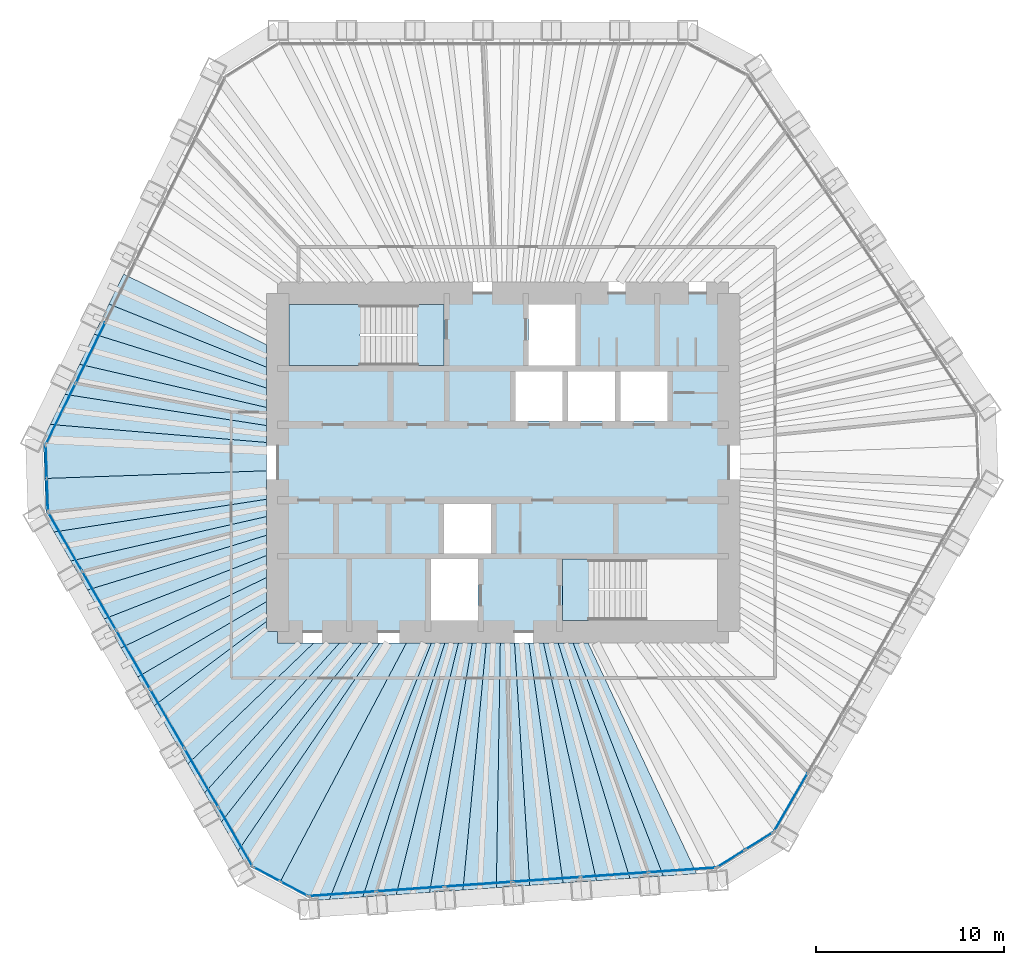
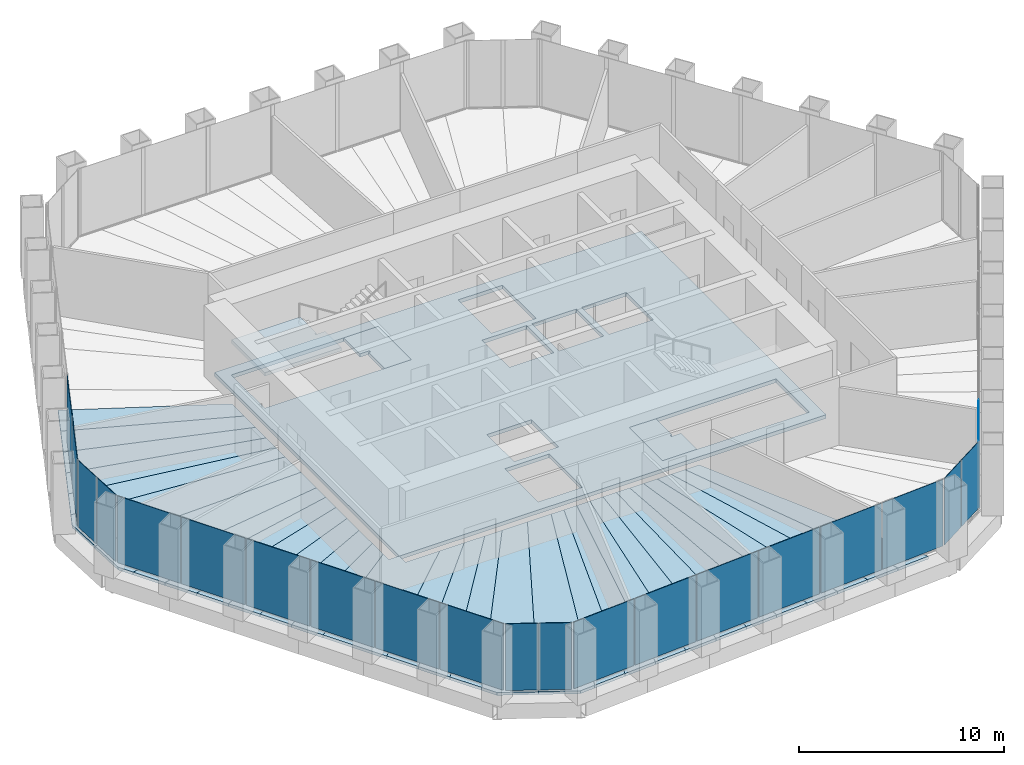
# One storey, part 8 of 13: 34 slabs, 21 plates, 9 elements without a shape of their own.
"""IFC4 building model written with IfcOpenShell, lengths in metres."""

import ifcopenshell
import ifcopenshell.guid

model = None  # the IFC model being written
_history = None  # IfcOwnerHistory: only IFC2X3 demands one
_inside = {}  # id of a spatial element -> (the spatial element, [elements in it])
_under = {}  # id of a project, library or spatial element -> (it, [spatial elements below it])
_declared = {}  # id of a project -> (the project, [libraries it declares])
_typed = {}  # id of a type object -> (the type object, [elements of that type])
_made_of = {}  # id of a material, layer set ... -> (it, [elements and type objects made of it])


def new_model(schema):
    """Start an empty IFC model of exactly this schema.

    Asked for "IFC4X3", IfcOpenShell would pick the latest addendum, in which some entities
    have other attributes; the version numbers below select the first issue.
    IFC2X3 requires an IfcOwnerHistory on every rooted entity: one is made here for all.
    """
    global model, _history
    if schema == "IFC4X3":
        model = ifcopenshell.file(schema_version=(4, 3, 0, 0))
    else:
        model = ifcopenshell.file(schema=schema)
    _inside.clear()
    _under.clear()
    _declared.clear()
    _typed.clear()
    _made_of.clear()
    _history = None
    if model.schema == "IFC2X3":
        org = make("IfcOrganization", Name="unknown")
        user = make(
            "IfcPersonAndOrganization",
            ThePerson=make("IfcPerson", FamilyName="unknown"),
            TheOrganization=org,
        )
        app = make(
            "IfcApplication",
            ApplicationDeveloper=org,
            Version="unknown",
            ApplicationFullName="unknown",
            ApplicationIdentifier="unknown",
        )
        _history = make(
            "IfcOwnerHistory",
            OwningUser=user,
            OwningApplication=app,
            ChangeAction="ADDED",
            CreationDate=0,
        )
    return model


def make(cls, **values):
    """One entity of the class cls with the attributes given. An attribute that is None is left unset."""
    return model.create_entity(
        cls, **{name: value for name, value in values.items() if value is not None}
    )


def rooted(cls, **values):
    """An entity with a GlobalId (a new one), such as an element, a storey or a relation."""
    return make(cls, GlobalId=ifcopenshell.guid.new(), OwnerHistory=_history, **values)


def si_unit(unit_type, name, prefix=None):
    """IfcSIUnit, for example si_unit("LENGTHUNIT", "METRE", prefix="MILLI")."""
    return make("IfcSIUnit", UnitType=unit_type, Prefix=prefix, Name=name)


def assignment(units):
    """IfcUnitAssignment: the units of a project."""
    return None if units is None else make("IfcUnitAssignment", Units=units)


def point(xyz):
    """IfcCartesianPoint."""
    return None if xyz is None else make("IfcCartesianPoint", Coordinates=xyz)


def direction(xyz):
    """IfcDirection."""
    return None if xyz is None else make("IfcDirection", DirectionRatios=xyz)


def frame(location, z_axis=None, x_axis=None):
    """IfcAxis2Placement3D, a coordinate frame: its origin and axes. An axis left out is left unset."""
    return make(
        "IfcAxis2Placement3D",
        Location=point(location),
        Axis=direction(z_axis),
        RefDirection=direction(x_axis),
    )


def frame_2d(location, x_axis=None):
    """IfcAxis2Placement2D, a coordinate frame in the plane: its origin and x axis."""
    return make(
        "IfcAxis2Placement2D", Location=point(location), RefDirection=direction(x_axis)
    )


def origin():
    """The frame at (0, 0, 0) with its axes left unset."""
    return frame((0.0, 0.0, 0.0))


def origin_2d():
    """The frame at (0, 0) in the plane with its x axis left unset."""
    return frame_2d((0.0, 0.0))


def place(relative_to, where):
    """IfcLocalPlacement: puts the frame where relative to a parent placement (None: the world)."""
    return make(
        "IfcLocalPlacement", PlacementRelTo=relative_to, RelativePlacement=where
    )


def context(
    kind, dimensions, precision=None, world=None, true_north=None, identifier=None
):
    """IfcGeometricRepresentationContext, for example the 3D "Model" context."""
    return make(
        "IfcGeometricRepresentationContext",
        ContextIdentifier=identifier,
        ContextType=kind,
        CoordinateSpaceDimension=dimensions,
        Precision=precision,
        WorldCoordinateSystem=world,
        TrueNorth=true_north,
    )


def subcontext(parent, identifier, kind, view, scale=None):
    """IfcGeometricRepresentationSubContext, for example "Body" below "Model"."""
    return make(
        "IfcGeometricRepresentationSubContext",
        ContextIdentifier=identifier,
        ContextType=kind,
        ParentContext=parent,
        TargetScale=scale,
        TargetView=view,
    )


def project(units=None, contexts=None):
    """IfcProject with its units and contexts."""
    return rooted(
        "IfcProject",
        Name="project",
        RepresentationContexts=contexts,
        UnitsInContext=assignment(units),
    )


def spatial(cls, under=None, at=None, **own):
    """A site, building, storey or space (cls), placed at a placement, below another one or the project."""
    s = rooted(cls, ObjectPlacement=at, **own)
    if under is not None:
        _under.setdefault(under.id(), (under, []))[1].append(s)
    return s


def polyline(points):
    """IfcPolyline through the points."""
    return make("IfcPolyline", Points=[point(p) for p in points])


def profile(cls, at=None, kind="AREA", **sizes):
    """A parametric profile (cls). Its sizes go by their IFC names, for example OverallWidth=200.0."""
    return make(cls, ProfileType=kind, Position=at, **sizes)


def rectangle(**sizes):
    """IfcRectangleProfileDef."""
    return profile("IfcRectangleProfileDef", **sizes)


def outline(outer, holes=None, kind="AREA"):
    """IfcArbitraryClosedProfileDef: a profile drawn as a closed curve; with holes, ...WithVoids."""
    if holes is None:
        return make("IfcArbitraryClosedProfileDef", ProfileType=kind, OuterCurve=outer)
    return make(
        "IfcArbitraryProfileDefWithVoids",
        ProfileType=kind,
        OuterCurve=outer,
        InnerCurves=holes,
    )


def extrude(swept, where, along, depth):
    """IfcExtrudedAreaSolid: the profile swept, set in the frame where, extruded along a direction by depth."""
    return make(
        "IfcExtrudedAreaSolid",
        SweptArea=swept,
        Position=where,
        ExtrudedDirection=direction(along),
        Depth=depth,
    )


def shape(context_of_items, identifier, shape_type, items):
    """IfcShapeRepresentation: the items that make up one representation, for example the "Body"."""
    return make(
        "IfcShapeRepresentation",
        ContextOfItems=context_of_items,
        RepresentationIdentifier=identifier,
        RepresentationType=shape_type,
        Items=items,
    )


def material(Name=None, Category=None):
    """IfcMaterial."""
    return make("IfcMaterial", Name=Name, Category=Category)


def layer(
    of_material, thickness, ventilated=None, Name=None, Category=None, Priority=None
):
    """IfcMaterialLayer: one layer of a wall or slab, of a material (None: an air gap)."""
    return make(
        "IfcMaterialLayer",
        Material=of_material,
        LayerThickness=thickness,
        IsVentilated=ventilated,
        Name=Name,
        Category=Category,
        Priority=Priority,
    )


def layer_set(layers, Name=None):
    """IfcMaterialLayerSet."""
    return make("IfcMaterialLayerSet", MaterialLayers=layers, LayerSetName=Name)


def made_of(thing, what):
    """Note that an element or type object is made of a material, layer set ...; save() writes the relation."""
    if what is not None:
        _made_of.setdefault(what.id(), (what, []))[1].append(thing)
    return thing


def type_object(cls, material=None, **own):
    """A type object (cls), such as IfcWallType, which elements share."""
    return made_of(rooted(cls, **own), material)


def element(
    cls,
    number,
    at=None,
    inside=None,
    cuts=None,
    type_object=None,
    material=None,
    context=None,
    identifier="Body",
    shape_type=None,
    held_by="IfcProductDefinitionShape",
    body=None,
    shapes=None,
    **own,
):
    """One element of the class cls, such as IfcWall. Its Tag is "e" and its number.

    at: its placement. inside: the storey or other place that contains it. cuts: it is an
    opening in that element (IfcRelVoidsElement). A single representation is given by context,
    identifier, shape_type and body (its items); several are given by shapes. held_by: the class
    of the entity that holds the representations. save() writes the other relations.
    """
    e = rooted(cls, Tag="e%d" % number, ObjectPlacement=at, **own)
    if body is not None:
        shapes = [shape(context, identifier, shape_type, body)]
    if shapes is not None:
        e.Representation = make(held_by, Representations=shapes)
    if inside is not None:
        _inside.setdefault(inside.id(), (inside, []))[1].append(e)
    if cuts is not None:
        rooted(
            "IfcRelVoidsElement", RelatingBuildingElement=cuts, RelatedOpeningElement=e
        )
    if type_object is not None:
        _typed.setdefault(type_object.id(), (type_object, []))[1].append(e)
    return made_of(e, material)


def aggregate(whole, parts):
    """IfcRelAggregates: a whole, such as a stair, and the parts it consists of."""
    return rooted("IfcRelAggregates", RelatingObject=whole, RelatedObjects=parts)


def save(model, path):
    """Write the relations noted so far, then the file.

    IfcRelAggregates (storeys below a building ...), IfcRelContainedInSpatialStructure (elements
    in a storey), IfcRelDefinesByType, IfcRelAssociatesMaterial and IfcRelDeclares: one each for
    every whole, place, type object, material and project.
    """
    for whole, parts in _under.values():
        aggregate(whole, parts)
    for where, things in _inside.values():
        rooted(
            "IfcRelContainedInSpatialStructure",
            RelatedElements=things,
            RelatingStructure=where,
        )
    for kind, things in _typed.values():
        rooted("IfcRelDefinesByType", RelatedObjects=things, RelatingType=kind)
    for what, things in _made_of.values():
        rooted("IfcRelAssociatesMaterial", RelatedObjects=things, RelatingMaterial=what)
    for by, libraries in _declared.values():
        rooted("IfcRelDeclares", RelatingContext=by, RelatedDefinitions=libraries)
    model.write(path)


model = new_model("IFC4")

# Units and contexts
model_context = context("Model", 3, precision=1e-05, world=origin(), true_north=direction((0.0, 1.0)))
body_context = subcontext(model_context, "Body", "Model", "MODEL_VIEW")
ifc_project = project(units=[si_unit("LENGTHUNIT", "METRE"), si_unit("AREAUNIT", "SQUARE_METRE"), si_unit("VOLUMEUNIT", "CUBIC_METRE"), si_unit("PLANEANGLEUNIT", "RADIAN"), si_unit("MASSUNIT", "GRAM", prefix="KILO")], contexts=[model_context])

# Site, building, storey
site_placement = place(None, origin())
site = spatial("IfcSite", under=ifc_project, at=site_placement, CompositionType="ELEMENT")
building_placement = place(site_placement, origin())
building = spatial("IfcBuilding", under=site, at=building_placement, Name="Qingtian Harvest Tower", CompositionType="ELEMENT")
storey_placement = place(building_placement, frame((0.0, 0.0, 205.60009765625)))
storey = spatial("IfcBuildingStorey", under=building, at=storey_placement, Name="L44", CompositionType="ELEMENT", Elevation=205.60009765625)

# Slabs
ifc_material_1 = material(Name="Concrete fc' 35 MPa", Category="concrete")
ifc_layer_1 = layer(ifc_material_1, 0.169921875)
ifc_layer_set_1 = layer_set([ifc_layer_1], Name="Composite floor slab FS17 170")
slab_type_1 = type_object("IfcSlabType", Name="Composite floor slab FS17 170", PredefinedType="FLOOR", material=ifc_layer_set_1)
slab_1_placement = place(storey_placement, frame((0.0, 0.0, -0.170166015625)))
element("IfcSlab", 1, at=slab_1_placement, inside=storey, type_object=slab_type_1, Name="Floor slab L44 panel D01", PredefinedType="FLOOR", context=body_context, shape_type="SweptSolid", body=[
    extrude(outline(polyline([(-24.403564453125, -0.852294921875), (-12.60009765625, -0.443115234375), (-12.60009765625, -1.958984375), (-23.9072265625, -3.701416015625), (-24.32958984375, -2.969970703125), (-24.403564453125, -0.852294921875)])), origin(), (0.0, 0.0, 1.0), 0.170166015625),
])
slab_2_placement = place(storey_placement, frame((0.0, 0.0, -0.170166015625)))
element("IfcSlab", 2, at=slab_2_placement, inside=storey, type_object=slab_type_1, Name="Floor slab L44 panel D02", PredefinedType="FLOOR", context=body_context, shape_type="SweptSolid", body=[
    extrude(outline(polyline([(-12.60009765625, -2.880126953125), (-23.016357421875, -5.244384765625), (-23.9072265625, -3.701416015625), (-12.60009765625, -1.958984375), (-12.60009765625, -2.880126953125)])), origin(), (0.0, 0.0, 1.0), 0.170166015625),
])
slab_3_placement = place(storey_placement, frame((0.0, 0.0, -0.170166015625)))
element("IfcSlab", 3, at=slab_3_placement, inside=storey, type_object=slab_type_1, Name="Floor slab L44 panel D03", PredefinedType="FLOOR", context=body_context, shape_type="SweptSolid", body=[
    extrude(outline(polyline([(-12.60009765625, -3.87548828125), (-22.12548828125, -6.78759765625), (-23.016357421875, -5.244384765625), (-12.60009765625, -2.880126953125), (-12.60009765625, -3.87548828125)])), origin(), (0.0, 0.0, 1.0), 0.170166015625),
])
slab_4_placement = place(storey_placement, frame((0.0, 0.0, -0.170166015625)))
element("IfcSlab", 4, at=slab_4_placement, inside=storey, type_object=slab_type_1, Name="Floor slab L44 panel D04", PredefinedType="FLOOR", context=body_context, shape_type="SweptSolid", body=[
    extrude(outline(polyline([(-12.60009765625, -4.95458984375), (-21.234619140625, -8.33056640625), (-22.12548828125, -6.78759765625), (-12.60009765625, -3.87548828125), (-12.60009765625, -4.95458984375)])), origin(), (0.0, 0.0, 1.0), 0.170166015625),
])
slab_5_placement = place(storey_placement, frame((0.0, 0.0, -0.170166015625)))
element("IfcSlab", 5, at=slab_5_placement, inside=storey, type_object=slab_type_1, Name="Floor slab L44 panel D05", PredefinedType="FLOOR", context=body_context, shape_type="SweptSolid", body=[
    extrude(outline(polyline([(-12.60009765625, -6.128173828125), (-20.34375, -9.87353515625), (-21.234619140625, -8.33056640625), (-12.60009765625, -4.95458984375), (-12.60009765625, -6.128173828125)])), origin(), (0.0, 0.0, 1.0), 0.170166015625),
])
slab_6_placement = place(storey_placement, frame((0.0, 0.0, -0.170166015625)))
element("IfcSlab", 6, at=slab_6_placement, inside=storey, type_object=slab_type_1, Name="Floor slab L44 panel D06", PredefinedType="FLOOR", context=body_context, shape_type="SweptSolid", body=[
    extrude(outline(polyline([(-12.60009765625, -7.409423828125), (-19.452880859375, -11.41650390625), (-20.34375, -9.87353515625), (-12.60009765625, -6.128173828125), (-12.60009765625, -7.409423828125)])), origin(), (0.0, 0.0, 1.0), 0.170166015625),
])
slab_7_placement = place(storey_placement, frame((0.0, 0.0, -0.170166015625)))
element("IfcSlab", 7, at=slab_7_placement, inside=storey, type_object=slab_type_1, Name="Floor slab L44 panel D07", PredefinedType="FLOOR", context=body_context, shape_type="SweptSolid", body=[
    extrude(outline(polyline([(-12.60009765625, -8.46435546875), (-18.5703125, -12.9453125), (-19.452880859375, -11.41650390625), (-12.60009765625, -7.409423828125), (-12.60009765625, -8.46435546875)])), origin(), (0.0, 0.0, 1.0), 0.170166015625),
])
slab_8_placement = place(storey_placement, frame((0.0, 0.0, -0.170166015625)))
element("IfcSlab", 8, at=slab_8_placement, inside=storey, type_object=slab_type_1, Name="Floor slab L44 panel D09", PredefinedType="FLOOR", context=body_context, shape_type="SweptSolid", body=[
    extrude(outline(polyline([(-16.781494140625, -16.043701171875), (-18.5703125, -12.9453125), (-12.60009765625, -8.46435546875), (-12.60009765625, -9.0), (-12.0, -9.0), (-12.0, -9.60009765625), (-10.07666015625, -9.60009765625), (-16.781494140625, -16.043701171875)])), origin(), (0.0, 0.0, 1.0), 0.170166015625),
])
slab_9_placement = place(storey_placement, frame((0.0, 0.0, -0.170166015625)))
element("IfcSlab", 9, at=slab_9_placement, inside=storey, type_object=slab_type_1, Name="Floor slab L44 panel D10", PredefinedType="FLOOR", context=body_context, shape_type="SweptSolid", body=[
    extrude(outline(polyline([(-8.700927734375, -9.60009765625), (-15.890380859375, -17.5869140625), (-16.781494140625, -16.043701171875), (-10.07666015625, -9.60009765625), (-8.700927734375, -9.60009765625)])), origin(), (0.0, 0.0, 1.0), 0.170166015625),
])
slab_10_placement = place(storey_placement, frame((0.0, 0.0, -0.170166015625)))
element("IfcSlab", 10, at=slab_10_placement, inside=storey, type_object=slab_type_1, Name="Floor slab L44 panel D11", PredefinedType="FLOOR", context=body_context, shape_type="SweptSolid", body=[
    extrude(outline(polyline([(-7.548095703125, -9.60009765625), (-14.99951171875, -19.1298828125), (-15.890380859375, -17.5869140625), (-8.700927734375, -9.60009765625), (-7.548095703125, -9.60009765625)])), origin(), (0.0, 0.0, 1.0), 0.170166015625),
])
slab_11_placement = place(storey_placement, frame((0.0, 0.0, -0.170166015625)))
element("IfcSlab", 11, at=slab_11_placement, inside=storey, type_object=slab_type_1, Name="Floor slab L44 panel D12", PredefinedType="FLOOR", context=body_context, shape_type="SweptSolid", body=[
    extrude(outline(polyline([(-6.568359375, -9.60009765625), (-14.108642578125, -20.673095703125), (-14.99951171875, -19.1298828125), (-7.548095703125, -9.60009765625), (-6.568359375, -9.60009765625)])), origin(), (0.0, 0.0, 1.0), 0.170166015625),
])
slab_12_placement = place(storey_placement, frame((0.0, 0.0, -0.170166015625)))
element("IfcSlab", 12, at=slab_12_placement, inside=storey, type_object=slab_type_1, Name="Floor slab L44 panel D13", PredefinedType="FLOOR", context=body_context, shape_type="SweptSolid", body=[
    extrude(outline(polyline([(-6.568359375, -9.60009765625), (-5.14501953125, -9.60009765625), (-11.890380859375, -22.359619140625), (-13.686279296875, -21.40478515625), (-14.108642578125, -20.673095703125), (-6.568359375, -9.60009765625)])), origin(), (0.0, 0.0, 1.0), 0.170166015625),
])
slab_13_placement = place(storey_placement, frame((0.0, 0.0, -0.170166015625)))
element("IfcSlab", 13, at=slab_13_placement, inside=storey, type_object=slab_type_1, Name="Floor slab L44 panel D14", PredefinedType="FLOOR", context=body_context, shape_type="SweptSolid", body=[
    extrude(outline(polyline([(-5.14501953125, -9.60009765625), (-3.817138671875, -9.60009765625), (-9.249755859375, -23.2568359375), (-10.092041015625, -23.315673828125), (-11.890380859375, -22.359619140625), (-5.14501953125, -9.60009765625)])), origin(), (0.0, 0.0, 1.0), 0.170166015625),
])
slab_14_placement = place(storey_placement, frame((0.0, 0.0, -0.170166015625)))
element("IfcSlab", 14, at=slab_14_placement, inside=storey, type_object=slab_type_1, Name="Floor slab L44 panel D15", PredefinedType="FLOOR", context=body_context, shape_type="SweptSolid", body=[
    extrude(outline(polyline([(-3.10009765625, -9.60009765625), (-7.472412109375, -23.132568359375), (-9.249755859375, -23.2568359375), (-3.817138671875, -9.60009765625), (-3.10009765625, -9.60009765625)])), origin(), (0.0, 0.0, 1.0), 0.170166015625),
])
slab_15_placement = place(storey_placement, frame((0.0, 0.0, -0.170166015625)))
element("IfcSlab", 15, at=slab_15_placement, inside=storey, type_object=slab_type_1, Name="Floor slab L44 panel D16", PredefinedType="FLOOR", context=body_context, shape_type="SweptSolid", body=[
    extrude(outline(polyline([(-2.375244140625, -9.60009765625), (-5.695068359375, -23.00830078125), (-7.472412109375, -23.132568359375), (-3.10009765625, -9.60009765625), (-2.375244140625, -9.60009765625)])), origin(), (0.0, 0.0, 1.0), 0.170166015625),
])
slab_16_placement = place(storey_placement, frame((0.0, 0.0, -0.170166015625)))
element("IfcSlab", 16, at=slab_16_placement, inside=storey, type_object=slab_type_1, Name="Floor slab L44 panel D17", PredefinedType="FLOOR", context=body_context, shape_type="SweptSolid", body=[
    extrude(outline(polyline([(-1.642578125, -9.60009765625), (-3.91796875, -22.884033203125), (-5.695068359375, -23.00830078125), (-2.375244140625, -9.60009765625), (-1.642578125, -9.60009765625)])), origin(), (0.0, 0.0, 1.0), 0.170166015625),
])
slab_17_placement = place(storey_placement, frame((0.0, 0.0, -0.170166015625)))
element("IfcSlab", 17, at=slab_17_placement, inside=storey, type_object=slab_type_1, Name="Floor slab L44 panel D18", PredefinedType="FLOOR", context=body_context, shape_type="SweptSolid", body=[
    extrude(outline(polyline([(-0.90185546875, -9.60009765625), (-2.140625, -22.759765625), (-3.91796875, -22.884033203125), (-1.642578125, -9.60009765625), (-0.90185546875, -9.60009765625)])), origin(), (0.0, 0.0, 1.0), 0.170166015625),
])
slab_18_placement = place(storey_placement, frame((0.0, 0.0, -0.170166015625)))
element("IfcSlab", 18, at=slab_18_placement, inside=storey, type_object=slab_type_1, Name="Floor slab L44 panel D19", PredefinedType="FLOOR", context=body_context, shape_type="SweptSolid", body=[
    extrude(outline(polyline([(-0.153076171875, -9.60009765625), (-0.36328125, -22.635498046875), (-2.140625, -22.759765625), (-0.90185546875, -9.60009765625), (-0.153076171875, -9.60009765625)])), origin(), (0.0, 0.0, 1.0), 0.170166015625),
])
slab_19_placement = place(storey_placement, frame((0.0, 0.0, -0.170166015625)))
element("IfcSlab", 19, at=slab_19_placement, inside=storey, type_object=slab_type_1, Name="Floor slab L44 panel D20", PredefinedType="FLOOR", context=body_context, shape_type="SweptSolid", body=[
    extrude(outline(polyline([(0.60400390625, -9.60009765625), (1.4140625, -22.51123046875), (-0.36328125, -22.635498046875), (-0.153076171875, -9.60009765625), (0.60400390625, -9.60009765625)])), origin(), (0.0, 0.0, 1.0), 0.170166015625),
])
slab_20_placement = place(storey_placement, frame((0.0, 0.0, -0.170166015625)))
element("IfcSlab", 20, at=slab_20_placement, inside=storey, type_object=slab_type_1, Name="Floor slab L44 panel D21", PredefinedType="FLOOR", context=body_context, shape_type="SweptSolid", body=[
    extrude(outline(polyline([(1.36962890625, -9.60009765625), (3.191162109375, -22.386962890625), (1.4140625, -22.51123046875), (0.60400390625, -9.60009765625), (1.36962890625, -9.60009765625)])), origin(), (0.0, 0.0, 1.0), 0.170166015625),
])
slab_21_placement = place(storey_placement, frame((0.0, 0.0, -0.170166015625)))
element("IfcSlab", 21, at=slab_21_placement, inside=storey, type_object=slab_type_1, Name="Floor slab L44 panel D22", PredefinedType="FLOOR", context=body_context, shape_type="SweptSolid", body=[
    extrude(outline(polyline([(2.1435546875, -9.60009765625), (4.968505859375, -22.2626953125), (3.191162109375, -22.386962890625), (1.36962890625, -9.60009765625), (2.1435546875, -9.60009765625)])), origin(), (0.0, 0.0, 1.0), 0.170166015625),
])
slab_22_placement = place(storey_placement, frame((0.0, 0.0, -0.170166015625)))
element("IfcSlab", 22, at=slab_22_placement, inside=storey, type_object=slab_type_1, Name="Floor slab L44 panel D23", PredefinedType="FLOOR", context=body_context, shape_type="SweptSolid", body=[
    extrude(outline(polyline([(2.92626953125, -9.60009765625), (6.745849609375, -22.138427734375), (4.968505859375, -22.2626953125), (2.1435546875, -9.60009765625), (2.92626953125, -9.60009765625)])), origin(), (0.0, 0.0, 1.0), 0.170166015625),
])
slab_23_placement = place(storey_placement, frame((0.0, 0.0, -0.170166015625)))
element("IfcSlab", 23, at=slab_23_placement, inside=storey, type_object=slab_type_1, Name="Floor slab L44 panel D24", PredefinedType="FLOOR", context=body_context, shape_type="SweptSolid", body=[
    extrude(outline(polyline([(3.718017578125, -9.60009765625), (8.523193359375, -22.01416015625), (6.745849609375, -22.138427734375), (2.92626953125, -9.60009765625), (3.718017578125, -9.60009765625)])), origin(), (0.0, 0.0, 1.0), 0.170166015625),
])
slab_24_placement = place(storey_placement, frame((0.0, 0.0, -0.170166015625)))
element("IfcSlab", 24, at=slab_24_placement, inside=storey, type_object=slab_type_1, Name="Floor slab L44 panel D25", PredefinedType="FLOOR", context=body_context, shape_type="SweptSolid", body=[
    extrude(outline(polyline([(4.5185546875, -9.60009765625), (10.30029296875, -21.889892578125), (8.523193359375, -22.01416015625), (3.718017578125, -9.60009765625), (4.5185546875, -9.60009765625)])), origin(), (0.0, 0.0, 1.0), 0.170166015625),
])
slab_25_placement = place(storey_placement, frame((0.0, 0.0, -0.170166015625)))
element("IfcSlab", 25, at=slab_25_placement, inside=storey, type_object=slab_type_1, Name="Floor slab L44 panel D73", PredefinedType="FLOOR", context=body_context, shape_type="SweptSolid", body=[
    extrude(outline(polyline([(-12.60009765625, 5.072509765625), (-20.983154296875, 8.43017578125), (-20.201904296875, 10.031494140625), (-12.60009765625, 6.268310546875), (-12.60009765625, 5.072509765625)])), origin(), (0.0, 0.0, 1.0), 0.170166015625),
])
slab_26_placement = place(storey_placement, frame((0.0, 0.0, -0.170166015625)))
element("IfcSlab", 26, at=slab_26_placement, inside=storey, type_object=slab_type_1, Name="Floor slab L44 panel D74", PredefinedType="FLOOR", context=body_context, shape_type="SweptSolid", body=[
    extrude(outline(polyline([(-12.60009765625, 3.962890625), (-21.76416015625, 6.828857421875), (-20.983154296875, 8.43017578125), (-12.60009765625, 5.072509765625), (-12.60009765625, 3.962890625)])), origin(), (0.0, 0.0, 1.0), 0.170166015625),
])
slab_27_placement = place(storey_placement, frame((0.0, 0.0, -0.170166015625)))
element("IfcSlab", 27, at=slab_27_placement, inside=storey, type_object=slab_type_1, Name="Floor slab L44 panel D75", PredefinedType="FLOOR", context=body_context, shape_type="SweptSolid", body=[
    extrude(outline(polyline([(-12.60009765625, 2.929931640625), (-22.545166015625, 5.2275390625), (-21.76416015625, 6.828857421875), (-12.60009765625, 3.962890625), (-12.60009765625, 2.929931640625)])), origin(), (0.0, 0.0, 1.0), 0.170166015625),
])
slab_28_placement = place(storey_placement, frame((0.0, 0.0, -0.170166015625)))
element("IfcSlab", 28, at=slab_28_placement, inside=storey, type_object=slab_type_1, Name="Floor slab L44 panel D76", PredefinedType="FLOOR", context=body_context, shape_type="SweptSolid", body=[
    extrude(outline(polyline([(-12.60009765625, 1.96630859375), (-23.326171875, 3.626220703125), (-22.545166015625, 5.2275390625), (-12.60009765625, 2.929931640625), (-12.60009765625, 1.96630859375)])), origin(), (0.0, 0.0, 1.0), 0.170166015625),
])
slab_29_placement = place(storey_placement, frame((0.0, 0.0, -0.170166015625)))
element("IfcSlab", 29, at=slab_29_placement, inside=storey, type_object=slab_type_1, Name="Floor slab L44 panel D77", PredefinedType="FLOOR", context=body_context, shape_type="SweptSolid", body=[
    extrude(outline(polyline([(-12.60009765625, 1.065185546875), (-24.107177734375, 2.02490234375), (-23.326171875, 3.626220703125), (-12.60009765625, 1.96630859375), (-12.60009765625, 1.065185546875)])), origin(), (0.0, 0.0, 1.0), 0.170166015625),
])
slab_30_placement = place(storey_placement, frame((0.0, 0.0, -0.170166015625)))
element("IfcSlab", 30, at=slab_30_placement, inside=storey, type_object=slab_type_1, Name="Floor slab L44 panel D78", PredefinedType="FLOOR", context=body_context, shape_type="SweptSolid", body=[
    extrude(outline(polyline([(-12.60009765625, 1.065185546875), (-12.60009765625, -0.443115234375), (-24.403564453125, -0.852294921875), (-24.4775390625, 1.265625), (-24.107177734375, 2.02490234375), (-12.60009765625, 1.065185546875)])), origin(), (0.0, 0.0, 1.0), 0.170166015625),
])
ifc_material_2 = material(Name="Concrete fc' 35 MPa", Category="concrete")
ifc_layer_2 = layer(ifc_material_2, 0.219970703125)
ifc_layer_set_2 = layer_set([ifc_layer_2], Name="Core floor slab CS22 220")
slab_type_2 = type_object("IfcSlabType", Name="Core floor slab CS22 220", PredefinedType="FLOOR", material=ifc_layer_set_2)
slab_31_placement = place(storey_placement, frame((0.0, 0.0, -0.22021484375)))
element("IfcSlab", 31, at=slab_31_placement, inside=storey, type_object=slab_type_2, Name="Core floor slab L44", PredefinedType="FLOOR", context=body_context, shape_type="SweptSolid", body=[
    extrude(outline(polyline([(-12.0, -9.0), (12.0, -9.0), (12.0, 9.0), (-12.0, 9.0), (-12.0, -9.0)]), holes=[polyline([(-11.39990234375, 5.14990234375), (-3.14990234375, 5.14990234375), (-3.14990234375, 8.39990234375), (-11.39990234375, 8.39990234375), (-11.39990234375, 5.14990234375)]), polyline([(3.14990234375, -8.39990234375), (11.39990234375, -8.39990234375), (11.39990234375, -5.14990234375), (3.14990234375, -5.14990234375), (3.14990234375, -8.39990234375)]), polyline([(1.35009765625, 5.14990234375), (3.85009765625, 5.14990234375), (3.85009765625, 8.39990234375), (1.35009765625, 8.39990234375), (1.35009765625, 5.14990234375)]), polyline([(-3.85009765625, -8.39990234375), (-1.35009765625, -8.39990234375), (-1.35009765625, -5.14990234375), (-3.85009765625, -5.14990234375), (-3.85009765625, -8.39990234375)]), polyline([(0.64990234375, 2.199951171875), (3.14990234375, 2.199951171875), (3.14990234375, 4.85009765625), (0.64990234375, 4.85009765625), (0.64990234375, 2.199951171875)]), polyline([(3.449951171875, 2.199951171875), (5.949951171875, 2.199951171875), (5.949951171875, 4.85009765625), (3.449951171875, 4.85009765625), (3.449951171875, 2.199951171875)]), polyline([(6.25, 2.199951171875), (8.75, 2.199951171875), (8.75, 4.85009765625), (6.25, 4.85009765625), (6.25, 2.199951171875)]), polyline([(-3.14990234375, -4.85009765625), (-0.64990234375, -4.85009765625), (-0.64990234375, -2.199951171875), (-3.14990234375, -2.199951171875), (-3.14990234375, -4.85009765625)])]), origin(), (0.0, 0.0, 1.0), 0.22021484375),
])

# Curtain wall, plate
ifc_material_3 = material(Name="Bronze-anodised aluminium curtain wall", Category="aluminium")
curtain_wall_type = type_object("IfcCurtainWallType", Name="Curtain wall CW4 office", PredefinedType="USERDEFINED", material=ifc_material_3)
curtain_wall_1_placement = place(storey_placement, origin())
curtain_wall_1 = element("IfcCurtainWall", 32, at=curtain_wall_1_placement, inside=storey, type_object=curtain_wall_type, Name="Curtain wall CW4 L44 SE0-5", ObjectType="RECESSED CURTAIN WALL", PredefinedType="USERDEFINED")
ifc_material_4 = material(Name="Bronze-tinted laminated insulating glass", Category="glass")
ifc_layer_3 = layer(ifc_material_4, 0.030029296875)
ifc_layer_set_3 = layer_set([ifc_layer_3], Name="Glazed panel CWP tinted IGU")
plate_type = type_object("IfcPlateType", Name="Glazed panel CWP tinted IGU", PredefinedType="CURTAIN_PANEL", material=ifc_layer_set_3)
plate_1_placement = place(storey_placement, frame((15.314208984375, -18.074951171875, 0.06494140625), z_axis=(0.0, 0.0, 1.0), x_axis=(-0.5, -0.866025403784, 0.0)))
plate_1 = element("IfcPlate", 33, at=plate_1_placement, type_object=plate_type, Name="CW4 panel 6.1", PredefinedType="CURTAIN_PANEL", context=body_context, shape_type="SweptSolid", body=[
    extrude(rectangle(XDim=3.5361328125, YDim=0.030029296875, at=origin_2d()), origin(), (0.0, 0.0, 1.0), 3.965087890625),
])
aggregate(curtain_wall_1, [plate_1])

# Curtain wall, plates
curtain_wall_2_placement = place(storey_placement, origin())
curtain_wall_2 = element("IfcCurtainWall", 34, at=curtain_wall_2_placement, inside=storey, type_object=curtain_wall_type, Name="Curtain wall CW4 L44 SEC", ObjectType="RECESSED CURTAIN WALL", PredefinedType="USERDEFINED")
plate_2_placement = place(storey_placement, frame((13.624755859375, -20.1455078125, 0.06494140625), z_axis=(0.0, 0.0, 1.0), x_axis=(-0.848048096156, -0.529919264233, 0.0)))
plate_2 = element("IfcPlate", 35, at=plate_2_placement, type_object=plate_type, Name="CW4 panel 1.1", PredefinedType="CURTAIN_PANEL", context=body_context, shape_type="SweptSolid", body=[
    extrude(rectangle(XDim=1.69287109375, YDim=0.030029296875, at=origin_2d()), origin(), (0.0, 0.0, 1.0), 3.965087890625),
])
plate_3_placement = place(storey_placement, frame((12.134033203125, -21.076904296875, 0.06494140625), z_axis=(0.0, 0.0, 1.0), x_axis=(-0.848048096156, -0.529919264233, 0.0)))
plate_3 = element("IfcPlate", 36, at=plate_3_placement, type_object=plate_type, Name="CW4 panel 2.1", PredefinedType="CURTAIN_PANEL", context=body_context, shape_type="SweptSolid", body=[
    extrude(rectangle(XDim=1.69287109375, YDim=0.030029296875, at=origin_2d()), origin(), (0.0, 0.0, 1.0), 3.965087890625),
])
aggregate(curtain_wall_2, [plate_2, plate_3])

curtain_wall_3_placement = place(storey_placement, origin())
curtain_wall_3 = element("IfcCurtainWall", 37, at=curtain_wall_3_placement, inside=storey, type_object=curtain_wall_type, Name="Curtain wall CW4 L44 S0-5", ObjectType="RECESSED CURTAIN WALL", PredefinedType="USERDEFINED")
plate_4_placement = place(storey_placement, frame((9.532470703125, -21.68798828125, 0.06494140625), z_axis=(0.0, 0.0, 1.0), x_axis=(-0.99756405026, -0.069756473744, 0.0)))
plate_4 = element("IfcPlate", 38, at=plate_4_placement, type_object=plate_type, Name="CW4 panel 1.1", PredefinedType="CURTAIN_PANEL", context=body_context, shape_type="SweptSolid", body=[
    extrude(rectangle(XDim=3.5361328125, YDim=0.030029296875, at=origin_2d()), origin(), (0.0, 0.0, 1.0), 3.965087890625),
])
plate_5_placement = place(storey_placement, frame((5.923828125, -21.940185546875, 0.06494140625), z_axis=(0.0, 0.0, 1.0), x_axis=(-0.99756405026, -0.069756473744, 0.0)))
plate_5 = element("IfcPlate", 39, at=plate_5_placement, type_object=plate_type, Name="CW4 panel 2.1", PredefinedType="CURTAIN_PANEL", context=body_context, shape_type="SweptSolid", body=[
    extrude(rectangle(XDim=3.568603515625, YDim=0.030029296875, at=origin_2d()), origin(), (0.0, 0.0, 1.0), 3.965087890625),
])
plate_6_placement = place(storey_placement, frame((2.299072265625, -22.193603515625, 0.06494140625), z_axis=(0.0, 0.0, 1.0), x_axis=(-0.99756405026, -0.069756473744, 0.0)))
plate_6 = element("IfcPlate", 40, at=plate_6_placement, type_object=plate_type, Name="CW4 panel 3.1", PredefinedType="CURTAIN_PANEL", context=body_context, shape_type="SweptSolid", body=[
    extrude(rectangle(XDim=3.568603515625, YDim=0.030029296875, at=origin_2d()), origin(), (0.0, 0.0, 1.0), 3.965087890625),
])
plate_7_placement = place(storey_placement, frame((-1.325439453125, -22.447021484375, 0.06494140625), z_axis=(0.0, 0.0, 1.0), x_axis=(-0.99756405026, -0.069756473744, 0.0)))
plate_7 = element("IfcPlate", 41, at=plate_7_placement, type_object=plate_type, Name="CW4 panel 4.1", PredefinedType="CURTAIN_PANEL", context=body_context, shape_type="SweptSolid", body=[
    extrude(rectangle(XDim=3.568603515625, YDim=0.030029296875, at=origin_2d()), origin(), (0.0, 0.0, 1.0), 3.965087890625),
])
plate_8_placement = place(storey_placement, frame((-4.9501953125, -22.70068359375, 0.06494140625), z_axis=(0.0, 0.0, 1.0), x_axis=(-0.99756405026, -0.069756473744, 0.0)))
plate_8 = element("IfcPlate", 42, at=plate_8_placement, type_object=plate_type, Name="CW4 panel 5.1", PredefinedType="CURTAIN_PANEL", context=body_context, shape_type="SweptSolid", body=[
    extrude(rectangle(XDim=3.568603515625, YDim=0.030029296875, at=origin_2d()), origin(), (0.0, 0.0, 1.0), 3.965087890625),
])
plate_9_placement = place(storey_placement, frame((-8.55859375, -22.952880859375, 0.06494140625), z_axis=(0.0, 0.0, 1.0), x_axis=(-0.99756405026, -0.069756473744, 0.0)))
plate_9 = element("IfcPlate", 43, at=plate_9_placement, type_object=plate_type, Name="CW4 panel 6.1", PredefinedType="CURTAIN_PANEL", context=body_context, shape_type="SweptSolid", body=[
    extrude(rectangle(XDim=3.5361328125, YDim=0.030029296875, at=origin_2d()), origin(), (0.0, 0.0, 1.0), 3.965087890625),
])
aggregate(curtain_wall_3, [plate_4, plate_5, plate_6, plate_7, plate_8, plate_9])

curtain_wall_4_placement = place(storey_placement, origin())
curtain_wall_4 = element("IfcCurtainWall", 44, at=curtain_wall_4_placement, inside=storey, type_object=curtain_wall_type, Name="Curtain wall CW4 L44 SC", ObjectType="RECESSED CURTAIN WALL", PredefinedType="USERDEFINED")
plate_10_placement = place(storey_placement, frame((-11.136474609375, -22.682373046875, 0.06494140625), z_axis=(0.0, 0.0, 1.0), x_axis=(-0.882947592859, 0.469471562786, 0.0)))
plate_10 = element("IfcPlate", 45, at=plate_10_placement, type_object=plate_type, Name="CW4 panel 1.1", PredefinedType="CURTAIN_PANEL", context=body_context, shape_type="SweptSolid", body=[
    extrude(rectangle(XDim=1.56689453125, YDim=0.030029296875, at=origin_2d()), origin(), (0.0, 0.0, 1.0), 3.965087890625),
])
plate_11_placement = place(storey_placement, frame((-12.5771484375, -21.916259765625, 0.06494140625), z_axis=(0.0, 0.0, 1.0), x_axis=(-0.882947592859, 0.469471562786, 0.0)))
plate_11 = element("IfcPlate", 46, at=plate_11_placement, type_object=plate_type, Name="CW4 panel 2.1", PredefinedType="CURTAIN_PANEL", context=body_context, shape_type="SweptSolid", body=[
    extrude(rectangle(XDim=1.56689453125, YDim=0.030029296875, at=origin_2d()), origin(), (0.0, 0.0, 1.0), 3.965087890625),
])
aggregate(curtain_wall_4, [plate_10, plate_11])

curtain_wall_5_placement = place(storey_placement, origin())
curtain_wall_5 = element("IfcCurtainWall", 47, at=curtain_wall_5_placement, inside=storey, type_object=curtain_wall_type, Name="Curtain wall CW4 L44 SW0-5", ObjectType="RECESSED CURTAIN WALL", PredefinedType="USERDEFINED")
plate_12_placement = place(storey_placement, frame((-14.242919921875, -19.9306640625, 0.06494140625), z_axis=(0.0, 0.0, 1.0), x_axis=(-0.5, 0.866025403784, 0.0)))
plate_12 = element("IfcPlate", 48, at=plate_12_placement, type_object=plate_type, Name="CW4 panel 1.1", PredefinedType="CURTAIN_PANEL", context=body_context, shape_type="SweptSolid", body=[
    extrude(rectangle(XDim=3.5361328125, YDim=0.030029296875, at=origin_2d()), origin(), (0.0, 0.0, 1.0), 3.965087890625),
])
plate_13_placement = place(storey_placement, frame((-16.051513671875, -16.7978515625, 0.06494140625), z_axis=(0.0, 0.0, 1.0), x_axis=(-0.5, 0.866025403784, 0.0)))
plate_13 = element("IfcPlate", 49, at=plate_13_placement, type_object=plate_type, Name="CW4 panel 2.1", PredefinedType="CURTAIN_PANEL", context=body_context, shape_type="SweptSolid", body=[
    extrude(rectangle(XDim=3.568603515625, YDim=0.030029296875, at=origin_2d()), origin(), (0.0, 0.0, 1.0), 3.965087890625),
])
plate_14_placement = place(storey_placement, frame((-17.868408203125, -13.651123046875, 0.06494140625), z_axis=(0.0, 0.0, 1.0), x_axis=(-0.5, 0.866025403784, 0.0)))
plate_14 = element("IfcPlate", 50, at=plate_14_placement, type_object=plate_type, Name="CW4 panel 3.1", PredefinedType="CURTAIN_PANEL", context=body_context, shape_type="SweptSolid", body=[
    extrude(rectangle(XDim=3.568603515625, YDim=0.030029296875, at=origin_2d()), origin(), (0.0, 0.0, 1.0), 3.965087890625),
])
plate_15_placement = place(storey_placement, frame((-19.68505859375, -10.50439453125, 0.06494140625), z_axis=(0.0, 0.0, 1.0), x_axis=(-0.5, 0.866025403784, 0.0)))
plate_15 = element("IfcPlate", 51, at=plate_15_placement, type_object=plate_type, Name="CW4 panel 4.1", PredefinedType="CURTAIN_PANEL", context=body_context, shape_type="SweptSolid", body=[
    extrude(rectangle(XDim=3.568603515625, YDim=0.030029296875, at=origin_2d()), origin(), (0.0, 0.0, 1.0), 3.965087890625),
])
plate_16_placement = place(storey_placement, frame((-21.501953125, -7.357666015625, 0.06494140625), z_axis=(0.0, 0.0, 1.0), x_axis=(-0.5, 0.866025403784, 0.0)))
plate_16 = element("IfcPlate", 52, at=plate_16_placement, type_object=plate_type, Name="CW4 panel 5.1", PredefinedType="CURTAIN_PANEL", context=body_context, shape_type="SweptSolid", body=[
    extrude(rectangle(XDim=3.568603515625, YDim=0.030029296875, at=origin_2d()), origin(), (0.0, 0.0, 1.0), 3.965087890625),
])
plate_17_placement = place(storey_placement, frame((-23.310546875, -4.22509765625, 0.06494140625), z_axis=(0.0, 0.0, 1.0), x_axis=(-0.5, 0.866025403784, 0.0)))
plate_17 = element("IfcPlate", 53, at=plate_17_placement, type_object=plate_type, Name="CW4 panel 6.1", PredefinedType="CURTAIN_PANEL", context=body_context, shape_type="SweptSolid", body=[
    extrude(rectangle(XDim=3.5361328125, YDim=0.030029296875, at=origin_2d()), origin(), (0.0, 0.0, 1.0), 3.965087890625),
])
aggregate(curtain_wall_5, [plate_12, plate_13, plate_14, plate_15, plate_16, plate_17])

curtain_wall_6_placement = place(storey_placement, origin())
curtain_wall_6 = element("IfcCurtainWall", 54, at=curtain_wall_6_placement, inside=storey, type_object=curtain_wall_type, Name="Curtain wall CW4 L44 SWC", ObjectType="RECESSED CURTAIN WALL", PredefinedType="USERDEFINED")
plate_18_placement = place(storey_placement, frame((-24.2587890625, -1.7265625, 0.06494140625), z_axis=(0.0, 0.0, 1.0), x_axis=(-0.034899496703, 0.999390827019, 0.0)))
plate_18 = element("IfcPlate", 55, at=plate_18_placement, type_object=plate_type, Name="CW4 panel 1.1", PredefinedType="CURTAIN_PANEL", context=body_context, shape_type="SweptSolid", body=[
    extrude(rectangle(XDim=1.69287109375, YDim=0.030029296875, at=origin_2d()), origin(), (0.0, 0.0, 1.0), 3.965087890625),
])
plate_19_placement = place(storey_placement, frame((-24.320068359375, 0.0302734375, 0.06494140625), z_axis=(0.0, 0.0, 1.0), x_axis=(-0.034899496703, 0.999390827019, 0.0)))
plate_19 = element("IfcPlate", 56, at=plate_19_placement, type_object=plate_type, Name="CW4 panel 2.1", PredefinedType="CURTAIN_PANEL", context=body_context, shape_type="SweptSolid", body=[
    extrude(rectangle(XDim=1.69287109375, YDim=0.030029296875, at=origin_2d()), origin(), (0.0, 0.0, 1.0), 3.965087890625),
])
aggregate(curtain_wall_6, [plate_18, plate_19])

curtain_wall_7_placement = place(storey_placement, origin())
curtain_wall_7 = element("IfcCurtainWall", 57, at=curtain_wall_7_placement, inside=storey, type_object=curtain_wall_type, Name="Curtain wall CW4 L44 NW0-5", ObjectType="RECESSED CURTAIN WALL", PredefinedType="USERDEFINED")
plate_20_placement = place(storey_placement, frame((-23.54833984375, 2.588623046875, 0.06494140625), z_axis=(0.0, 0.0, 1.0), x_axis=(0.438371146789, 0.898794046299, 0.0)))
plate_20 = element("IfcPlate", 58, at=plate_20_placement, type_object=plate_type, Name="CW4 panel 1.1", PredefinedType="CURTAIN_PANEL", context=body_context, shape_type="SweptSolid", body=[
    extrude(rectangle(XDim=3.5361328125, YDim=0.030029296875, at=origin_2d()), origin(), (0.0, 0.0, 1.0), 3.965087890625),
])
plate_21_placement = place(storey_placement, frame((-21.962646484375, 5.83984375, 0.06494140625), z_axis=(0.0, 0.0, 1.0), x_axis=(0.438371146789, 0.898794046299, 0.0)))
plate_21 = element("IfcPlate", 59, at=plate_21_placement, type_object=plate_type, Name="CW4 panel 2.1", PredefinedType="CURTAIN_PANEL", context=body_context, shape_type="SweptSolid", body=[
    extrude(rectangle(XDim=3.568603515625, YDim=0.030029296875, at=origin_2d()), origin(), (0.0, 0.0, 1.0), 3.965087890625),
])
aggregate(curtain_wall_7, [plate_20, plate_21])

# Stair, slabs
ifc_material_5 = material(Name="Concrete fc' 35 MPa", Category="concrete")
stair_type = type_object("IfcStairType", Name="Special stair ST4 4200", PredefinedType="HALF_TURN_STAIR", material=ifc_material_5)
stair_1_placement = place(storey_placement, origin())
stair_1 = element("IfcStair", 60, at=stair_1_placement, inside=storey, type_object=stair_type, Name="Special stair S1 L44", PredefinedType="HALF_TURN_STAIR")
ifc_material_6 = material(Name="Concrete fc' 35 MPa", Category="concrete")
ifc_layer_4 = layer(ifc_material_6, 0.199951171875)
ifc_layer_set_4 = layer_set([ifc_layer_4], Name="Stair landing SL2 200")
slab_type_3 = type_object("IfcSlabType", Name="Stair landing SL2 200", PredefinedType="LANDING", material=ifc_layer_set_4)
slab_32_placement = place(storey_placement, frame((0.0, 0.0, -0.2001953125)))
slab_32 = element("IfcSlab", 61, at=slab_32_placement, type_object=slab_type_3, Name="S1 landing 1", PredefinedType="LANDING", context=body_context, shape_type="SweptSolid", body=[
    extrude(outline(polyline([(-4.64990234375, 5.14990234375), (-4.64990234375, 6.72509765625), (-4.550048828125, 6.72509765625), (-4.550048828125, 6.824951171875), (-5.0849609375, 6.824951171875), (-5.0849609375, 8.39990234375), (-3.14990234375, 8.39990234375), (-3.14990234375, 5.14990234375), (-4.64990234375, 5.14990234375)])), origin(), (0.0, 0.0, 1.0), 0.2001953125),
])
slab_33_placement = place(storey_placement, frame((0.0, 0.0, 1.89990234375)))
slab_33 = element("IfcSlab", 62, at=slab_33_placement, type_object=slab_type_3, Name="S1 landing 2", PredefinedType="LANDING", context=body_context, shape_type="SweptSolid", body=[
    extrude(outline(polyline([(-7.094970703125, 5.14990234375), (-11.39990234375, 5.14990234375), (-11.39990234375, 8.39990234375), (-7.530029296875, 8.39990234375), (-7.530029296875, 6.824951171875), (-7.6298828125, 6.824951171875), (-7.6298828125, 6.72509765625), (-7.094970703125, 6.72509765625), (-7.094970703125, 5.14990234375)])), origin(), (0.0, 0.0, 1.0), 0.199951171875),
])
aggregate(stair_1, [slab_32, slab_33])

# Stair, slab
stair_2_placement = place(storey_placement, origin())
stair_2 = element("IfcStair", 63, at=stair_2_placement, inside=storey, type_object=stair_type, Name="Special stair S2 L44", PredefinedType="HALF_TURN_STAIR")
slab_34_placement = place(storey_placement, frame((0.0, 0.0, -0.2001953125)))
slab_34 = element("IfcSlab", 64, at=slab_34_placement, type_object=slab_type_3, Name="S2 landing 1", PredefinedType="LANDING", context=body_context, shape_type="SweptSolid", body=[
    extrude(outline(polyline([(5.0849609375, -8.39990234375), (3.14990234375, -8.39990234375), (3.14990234375, -5.14990234375), (4.64990234375, -5.14990234375), (4.64990234375, -6.72509765625), (4.550048828125, -6.72509765625), (4.550048828125, -6.824951171875), (5.0849609375, -6.824951171875), (5.0849609375, -8.39990234375)])), origin(), (0.0, 0.0, 1.0), 0.2001953125),
])
aggregate(stair_2, [slab_34])

save(model, "model.ifc")
